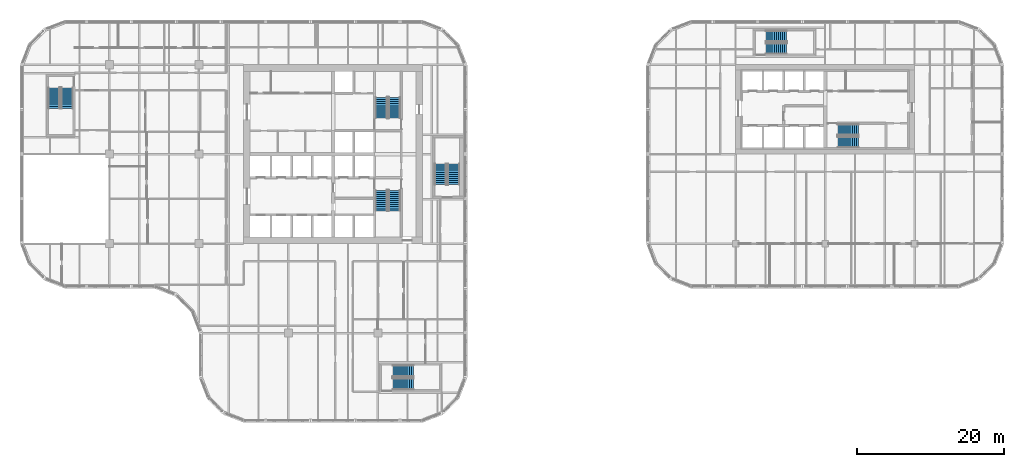
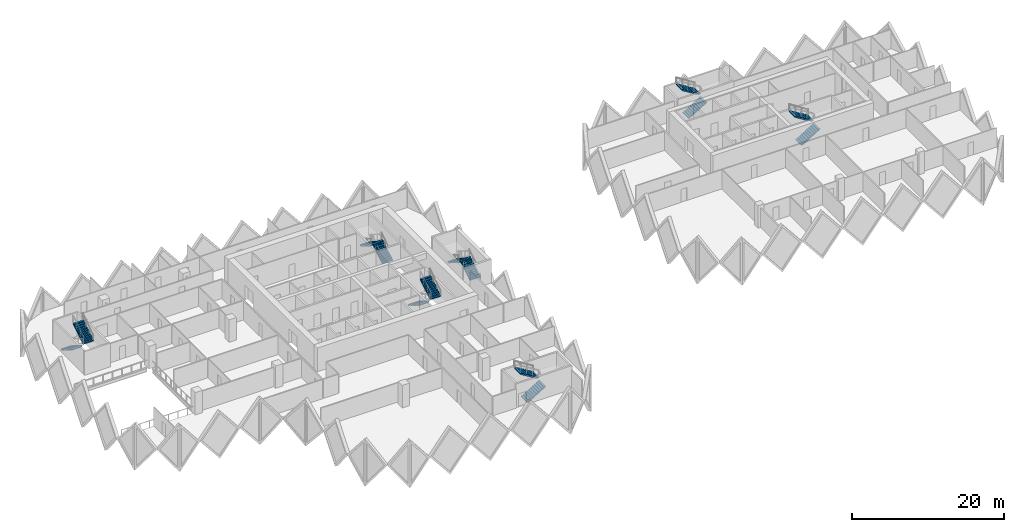
# One storey, part 16 of 18: 14 stair flights, 7 elements without a shape of their own.
"""IFC4 building model written with IfcOpenShell, lengths in metres."""

from ifc_helpers import new_model, si_unit, direction, frame, origin, place, context, subcontext, project, spatial, polyline, outline, extrude, material, type_object, element, aggregate, save


model = new_model("IFC4")

# Units and contexts
model_context = context("Model", 3, precision=1e-05, world=origin(), true_north=direction((0.0, 1.0)))
body_context = subcontext(model_context, "Body", "Model", "MODEL_VIEW")
ifc_project = project(units=[si_unit("LENGTHUNIT", "METRE"), si_unit("AREAUNIT", "SQUARE_METRE"), si_unit("VOLUMEUNIT", "CUBIC_METRE"), si_unit("PLANEANGLEUNIT", "RADIAN"), si_unit("MASSUNIT", "GRAM", prefix="KILO")], contexts=[model_context])

# Site, building, storey
site_placement = place(None, origin())
site = spatial("IfcSite", under=ifc_project, at=site_placement, CompositionType="ELEMENT")
building_placement = place(site_placement, origin())
building = spatial("IfcBuilding", under=site, at=building_placement, Name="Tessera Gate Towers", CompositionType="ELEMENT")
storey_placement = place(building_placement, frame((0.0, 0.0, 56.199951171875)))
storey = spatial("IfcBuildingStorey", under=building, at=storey_placement, Name="L13", CompositionType="ELEMENT", Elevation=56.199951171875)

# Stair, stair flights
ifc_material_1 = material(Name="Concrete C40/50", Category="concrete")
stair_type_1 = type_object("IfcStairType", Name="EXIT STAIR ST1 1600", PredefinedType="HALF_TURN_STAIR", material=ifc_material_1)
stair_1_placement = place(storey_placement, origin())
stair_1 = element("IfcStair", 1, at=stair_1_placement, inside=storey, type_object=stair_type_1, Name="L13 Protected Exit Stair ST1", PredefinedType="HALF_TURN_STAIR")
ifc_material_2 = material(Name="Concrete C40/50", Category="concrete")
stair_flight_type_1 = type_object("IfcStairFlightType", Name="EXIT STAIR FLIGHT ST1 1600", PredefinedType="STRAIGHT", material=ifc_material_2)
stair_flight_1_placement = place(storey_placement, frame((49.27490234375, 31.675048828125, 0.0), z_axis=(0.0, 0.0, 1.0), x_axis=(0.0, -1.0, 0.0)))
stair_flight_1 = element("IfcStairFlight", 2, at=stair_flight_1_placement, type_object=stair_flight_type_1, Name="ST1 flight 1", NumberOfRisers=11, NumberOfTreads=10, PredefinedType="STRAIGHT", RiserHeight=0.172727273, TreadLength=0.28, context=body_context, shape_type="SweptSolid", body=[
    extrude(outline(polyline([(0.0, 0.0), (0.0, 0.172607421875), (0.280029296875, 0.172607421875), (0.280029296875, 0.345458984375), (0.56005859375, 0.345458984375), (0.56005859375, 0.51806640625), (0.840087890625, 0.51806640625), (0.840087890625, 0.69091796875), (1.1201171875, 0.69091796875), (1.1201171875, 0.863525390625), (1.39990234375, 0.863525390625), (1.39990234375, 1.036376953125), (1.679931640625, 1.036376953125), (1.679931640625, 1.208984375), (1.9599609375, 1.208984375), (1.9599609375, 1.3818359375), (2.239990234375, 1.3818359375), (2.239990234375, 1.554443359375), (2.52001953125, 1.554443359375), (2.52001953125, 1.727294921875), (2.800048828125, 1.727294921875), (2.800048828125, 1.89990234375), (2.800048828125, 1.551025390625), (0.285400390625, 0.0), (0.0, 0.0)])), frame((0.0, 0.800048828125, 0.0), z_axis=(0.0, -1.0, 0.0), x_axis=(1.0, 0.0, 0.0)), (0.0, 0.0, 1.0), 1.60009765625),
])
stair_flight_2_placement = place(storey_placement, frame((51.074951171875, 28.875, 1.900146484375), z_axis=(0.0, 0.0, 1.0), x_axis=(0.0, 1.0, 0.0)))
stair_flight_2 = element("IfcStairFlight", 3, at=stair_flight_2_placement, type_object=stair_flight_type_1, Name="ST1 flight 2", NumberOfRisers=11, NumberOfTreads=10, PredefinedType="STRAIGHT", RiserHeight=0.172727273, TreadLength=0.28, context=body_context, shape_type="SweptSolid", body=[
    extrude(outline(polyline([(0.0, 0.0), (0.0, 0.172607421875), (0.280029296875, 0.172607421875), (0.280029296875, 0.345458984375), (0.56005859375, 0.345458984375), (0.56005859375, 0.51806640625), (0.840087890625, 0.51806640625), (0.840087890625, 0.69091796875), (1.1201171875, 0.69091796875), (1.1201171875, 0.863525390625), (1.39990234375, 0.863525390625), (1.39990234375, 1.036376953125), (1.679931640625, 1.036376953125), (1.679931640625, 1.208984375), (1.9599609375, 1.208984375), (1.9599609375, 1.3818359375), (2.239990234375, 1.3818359375), (2.239990234375, 1.554443359375), (2.52001953125, 1.554443359375), (2.52001953125, 1.727294921875), (2.800048828125, 1.727294921875), (2.800048828125, 1.89990234375), (2.800048828125, 1.551025390625), (0.285400390625, 0.0), (0.0, 0.0)])), frame((0.0, 0.800048828125, 0.0), z_axis=(0.0, -1.0, 0.0), x_axis=(1.0, 0.0, 0.0)), (0.0, 0.0, 1.0), 1.60009765625),
])
aggregate(stair_1, [stair_flight_1, stair_flight_2])

ifc_material_3 = material(Name="Concrete C40/50", Category="concrete")
stair_type_2 = type_object("IfcStairType", Name="EXIT STAIR ST2 1600", PredefinedType="HALF_TURN_STAIR", material=ifc_material_3)
stair_2_placement = place(storey_placement, origin())
stair_2 = element("IfcStair", 4, at=stair_2_placement, inside=storey, type_object=stair_type_2, Name="L13 Protected Exit Stair ST2", PredefinedType="HALF_TURN_STAIR")
ifc_material_4 = material(Name="Concrete C40/50", Category="concrete")
stair_flight_type_2 = type_object("IfcStairFlightType", Name="EXIT STAIR FLIGHT ST2 1600", PredefinedType="STRAIGHT", material=ifc_material_4)
stair_flight_3_placement = place(storey_placement, frame((51.074951171875, 41.52490234375, 0.0), z_axis=(0.0, 0.0, 1.0), x_axis=(0.0, 1.0, 0.0)))
stair_flight_3 = element("IfcStairFlight", 5, at=stair_flight_3_placement, type_object=stair_flight_type_2, Name="ST2 flight 1", NumberOfRisers=11, NumberOfTreads=10, PredefinedType="STRAIGHT", RiserHeight=0.172727273, TreadLength=0.28, context=body_context, shape_type="SweptSolid", body=[
    extrude(outline(polyline([(0.0, 0.0), (0.0, 0.172607421875), (0.280029296875, 0.172607421875), (0.280029296875, 0.345458984375), (0.56005859375, 0.345458984375), (0.56005859375, 0.51806640625), (0.840087890625, 0.51806640625), (0.840087890625, 0.69091796875), (1.1201171875, 0.69091796875), (1.1201171875, 0.863525390625), (1.39990234375, 0.863525390625), (1.39990234375, 1.036376953125), (1.679931640625, 1.036376953125), (1.679931640625, 1.208984375), (1.9599609375, 1.208984375), (1.9599609375, 1.3818359375), (2.239990234375, 1.3818359375), (2.239990234375, 1.554443359375), (2.52001953125, 1.554443359375), (2.52001953125, 1.727294921875), (2.800048828125, 1.727294921875), (2.800048828125, 1.89990234375), (2.800048828125, 1.551025390625), (0.285400390625, 0.0), (0.0, 0.0)])), frame((0.0, 0.800048828125, 0.0), z_axis=(0.0, -1.0, 0.0), x_axis=(1.0, 0.0, 0.0)), (0.0, 0.0, 1.0), 1.60009765625),
])
stair_flight_4_placement = place(storey_placement, frame((49.27490234375, 44.324951171875, 1.900146484375), z_axis=(0.0, 0.0, 1.0), x_axis=(0.0, -1.0, 0.0)))
stair_flight_4 = element("IfcStairFlight", 6, at=stair_flight_4_placement, type_object=stair_flight_type_2, Name="ST2 flight 2", NumberOfRisers=11, NumberOfTreads=10, PredefinedType="STRAIGHT", RiserHeight=0.172727273, TreadLength=0.28, context=body_context, shape_type="SweptSolid", body=[
    extrude(outline(polyline([(0.0, 0.0), (0.0, 0.172607421875), (0.280029296875, 0.172607421875), (0.280029296875, 0.345458984375), (0.56005859375, 0.345458984375), (0.56005859375, 0.51806640625), (0.840087890625, 0.51806640625), (0.840087890625, 0.69091796875), (1.1201171875, 0.69091796875), (1.1201171875, 0.863525390625), (1.39990234375, 0.863525390625), (1.39990234375, 1.036376953125), (1.679931640625, 1.036376953125), (1.679931640625, 1.208984375), (1.9599609375, 1.208984375), (1.9599609375, 1.3818359375), (2.239990234375, 1.3818359375), (2.239990234375, 1.554443359375), (2.52001953125, 1.554443359375), (2.52001953125, 1.727294921875), (2.800048828125, 1.727294921875), (2.800048828125, 1.89990234375), (2.800048828125, 1.551025390625), (0.285400390625, 0.0), (0.0, 0.0)])), frame((0.0, 0.800048828125, 0.0), z_axis=(0.0, -1.0, 0.0), x_axis=(1.0, 0.0, 0.0)), (0.0, 0.0, 1.0), 1.60009765625),
])
aggregate(stair_2, [stair_flight_3, stair_flight_4])

ifc_material_5 = material(Name="Concrete C40/50", Category="concrete")
stair_type_3 = type_object("IfcStairType", Name="EXIT STAIR ST3 1600", PredefinedType="HALF_TURN_STAIR", material=ifc_material_5)
stair_3_placement = place(storey_placement, origin())
stair_3 = element("IfcStair", 7, at=stair_3_placement, inside=storey, type_object=stair_type_3, Name="L13 West Exit Stair ST3", PredefinedType="HALF_TURN_STAIR")
ifc_material_6 = material(Name="Concrete C40/50", Category="concrete")
stair_flight_type_3 = type_object("IfcStairFlightType", Name="EXIT STAIR FLIGHT ST3 1600", PredefinedType="STRAIGHT", material=ifc_material_6)
stair_flight_5_placement = place(storey_placement, frame((4.64990234375, 45.64990234375, 0.0), z_axis=(0.0, 0.0, 1.0), x_axis=(0.0, -1.0, 0.0)))
stair_flight_5 = element("IfcStairFlight", 8, at=stair_flight_5_placement, type_object=stair_flight_type_3, Name="ST3 flight 1", NumberOfRisers=11, NumberOfTreads=10, PredefinedType="STRAIGHT", RiserHeight=0.172727273, TreadLength=0.28, context=body_context, shape_type="SweptSolid", body=[
    extrude(outline(polyline([(0.0, 0.0), (0.0, 0.172607421875), (0.280029296875, 0.172607421875), (0.280029296875, 0.345458984375), (0.56005859375, 0.345458984375), (0.56005859375, 0.51806640625), (0.840087890625, 0.51806640625), (0.840087890625, 0.69091796875), (1.1201171875, 0.69091796875), (1.1201171875, 0.863525390625), (1.39990234375, 0.863525390625), (1.39990234375, 1.036376953125), (1.679931640625, 1.036376953125), (1.679931640625, 1.208984375), (1.9599609375, 1.208984375), (1.9599609375, 1.3818359375), (2.239990234375, 1.3818359375), (2.239990234375, 1.554443359375), (2.52001953125, 1.554443359375), (2.52001953125, 1.727294921875), (2.800048828125, 1.727294921875), (2.800048828125, 1.89990234375), (2.800048828125, 1.551025390625), (0.285400390625, 0.0), (0.0, 0.0)])), frame((0.0, 0.800048828125, 0.0), z_axis=(0.0, -1.0, 0.0), x_axis=(1.0, 0.0, 0.0)), (0.0, 0.0, 1.0), 1.60009765625),
])
stair_flight_6_placement = place(storey_placement, frame((6.449951171875, 42.85009765625, 1.900146484375), z_axis=(0.0, 0.0, 1.0), x_axis=(0.0, 1.0, 0.0)))
stair_flight_6 = element("IfcStairFlight", 9, at=stair_flight_6_placement, type_object=stair_flight_type_3, Name="ST3 flight 2", NumberOfRisers=11, NumberOfTreads=10, PredefinedType="STRAIGHT", RiserHeight=0.172727273, TreadLength=0.28, context=body_context, shape_type="SweptSolid", body=[
    extrude(outline(polyline([(0.0, 0.0), (0.0, 0.172607421875), (0.280029296875, 0.172607421875), (0.280029296875, 0.345458984375), (0.56005859375, 0.345458984375), (0.56005859375, 0.51806640625), (0.840087890625, 0.51806640625), (0.840087890625, 0.69091796875), (1.1201171875, 0.69091796875), (1.1201171875, 0.863525390625), (1.39990234375, 0.863525390625), (1.39990234375, 1.036376953125), (1.679931640625, 1.036376953125), (1.679931640625, 1.208984375), (1.9599609375, 1.208984375), (1.9599609375, 1.3818359375), (2.239990234375, 1.3818359375), (2.239990234375, 1.554443359375), (2.52001953125, 1.554443359375), (2.52001953125, 1.727294921875), (2.800048828125, 1.727294921875), (2.800048828125, 1.89990234375), (2.800048828125, 1.551025390625), (0.285400390625, 0.0), (0.0, 0.0)])), frame((0.0, 0.800048828125, 0.0), z_axis=(0.0, -1.0, 0.0), x_axis=(1.0, 0.0, 0.0)), (0.0, 0.0, 1.0), 1.60009765625),
])
aggregate(stair_3, [stair_flight_5, stair_flight_6])

ifc_material_7 = material(Name="Concrete C40/50", Category="concrete")
stair_type_4 = type_object("IfcStairType", Name="EXIT STAIR ST4 1600", PredefinedType="HALF_TURN_STAIR", material=ifc_material_7)
stair_4_placement = place(storey_placement, origin())
stair_4 = element("IfcStair", 10, at=stair_4_placement, inside=storey, type_object=stair_type_4, Name="L13 South Exit Stair ST4", PredefinedType="HALF_TURN_STAIR")
ifc_material_8 = material(Name="Concrete C40/50", Category="concrete")
stair_flight_type_4 = type_object("IfcStairFlightType", Name="EXIT STAIR FLIGHT ST4 1600", PredefinedType="STRAIGHT", material=ifc_material_8)
stair_flight_7_placement = place(storey_placement, frame((50.85009765625, 5.25, 0.0), z_axis=(0.0, 0.0, 1.0), x_axis=(1.0, 0.0, 0.0)))
stair_flight_7 = element("IfcStairFlight", 11, at=stair_flight_7_placement, type_object=stair_flight_type_4, Name="ST4 flight 1", NumberOfRisers=11, NumberOfTreads=10, PredefinedType="STRAIGHT", RiserHeight=0.172727273, TreadLength=0.28, context=body_context, shape_type="SweptSolid", body=[
    extrude(outline(polyline([(0.0, 0.0), (0.0, 0.172607421875), (0.280029296875, 0.172607421875), (0.280029296875, 0.345458984375), (0.56005859375, 0.345458984375), (0.56005859375, 0.51806640625), (0.840087890625, 0.51806640625), (0.840087890625, 0.69091796875), (1.1201171875, 0.69091796875), (1.1201171875, 0.863525390625), (1.39990234375, 0.863525390625), (1.39990234375, 1.036376953125), (1.679931640625, 1.036376953125), (1.679931640625, 1.208984375), (1.9599609375, 1.208984375), (1.9599609375, 1.3818359375), (2.239990234375, 1.3818359375), (2.239990234375, 1.554443359375), (2.52001953125, 1.554443359375), (2.52001953125, 1.727294921875), (2.800048828125, 1.727294921875), (2.800048828125, 1.89990234375), (2.800048828125, 1.551025390625), (0.285400390625, 0.0), (0.0, 0.0)])), frame((0.0, 0.800048828125, 0.0), z_axis=(0.0, -1.0, 0.0), x_axis=(1.0, 0.0, 0.0)), (0.0, 0.0, 1.0), 1.60009765625),
])
stair_flight_8_placement = place(storey_placement, frame((53.64990234375, 7.050048828125, 1.900146484375), z_axis=(0.0, 0.0, 1.0), x_axis=(-1.0, 0.0, 0.0)))
stair_flight_8 = element("IfcStairFlight", 12, at=stair_flight_8_placement, type_object=stair_flight_type_4, Name="ST4 flight 2", NumberOfRisers=11, NumberOfTreads=10, PredefinedType="STRAIGHT", RiserHeight=0.172727273, TreadLength=0.28, context=body_context, shape_type="SweptSolid", body=[
    extrude(outline(polyline([(0.0, 0.0), (0.0, 0.172607421875), (0.280029296875, 0.172607421875), (0.280029296875, 0.345458984375), (0.56005859375, 0.345458984375), (0.56005859375, 0.51806640625), (0.840087890625, 0.51806640625), (0.840087890625, 0.69091796875), (1.1201171875, 0.69091796875), (1.1201171875, 0.863525390625), (1.39990234375, 0.863525390625), (1.39990234375, 1.036376953125), (1.679931640625, 1.036376953125), (1.679931640625, 1.208984375), (1.9599609375, 1.208984375), (1.9599609375, 1.3818359375), (2.239990234375, 1.3818359375), (2.239990234375, 1.554443359375), (2.52001953125, 1.554443359375), (2.52001953125, 1.727294921875), (2.800048828125, 1.727294921875), (2.800048828125, 1.89990234375), (2.800048828125, 1.551025390625), (0.285400390625, 0.0), (0.0, 0.0)])), frame((0.0, 0.800048828125, 0.0), z_axis=(0.0, -1.0, 0.0), x_axis=(1.0, 0.0, 0.0)), (0.0, 0.0, 1.0), 1.60009765625),
])
aggregate(stair_4, [stair_flight_7, stair_flight_8])

ifc_material_9 = material(Name="Concrete C40/50", Category="concrete")
stair_type_5 = type_object("IfcStairType", Name="EXIT STAIR ST5 1600", PredefinedType="HALF_TURN_STAIR", material=ifc_material_9)
stair_5_placement = place(storey_placement, origin())
stair_5 = element("IfcStair", 13, at=stair_5_placement, inside=storey, type_object=stair_type_5, Name="L13 East Exit Stair ST5", PredefinedType="HALF_TURN_STAIR")
ifc_material_10 = material(Name="Concrete C40/50", Category="concrete")
stair_flight_type_5 = type_object("IfcStairFlightType", Name="EXIT STAIR FLIGHT ST5 1600", PredefinedType="STRAIGHT", material=ifc_material_10)
stair_flight_9_placement = place(storey_placement, frame((59.14990234375, 32.449951171875, 0.0), z_axis=(0.0, 0.0, 1.0), x_axis=(0.0, 1.0, 0.0)))
stair_flight_9 = element("IfcStairFlight", 14, at=stair_flight_9_placement, type_object=stair_flight_type_5, Name="ST5 flight 1", NumberOfRisers=11, NumberOfTreads=10, PredefinedType="STRAIGHT", RiserHeight=0.172727273, TreadLength=0.28, context=body_context, shape_type="SweptSolid", body=[
    extrude(outline(polyline([(0.0, 0.0), (0.0, 0.172607421875), (0.280029296875, 0.172607421875), (0.280029296875, 0.345458984375), (0.56005859375, 0.345458984375), (0.56005859375, 0.51806640625), (0.840087890625, 0.51806640625), (0.840087890625, 0.69091796875), (1.1201171875, 0.69091796875), (1.1201171875, 0.863525390625), (1.39990234375, 0.863525390625), (1.39990234375, 1.036376953125), (1.679931640625, 1.036376953125), (1.679931640625, 1.208984375), (1.9599609375, 1.208984375), (1.9599609375, 1.3818359375), (2.239990234375, 1.3818359375), (2.239990234375, 1.554443359375), (2.52001953125, 1.554443359375), (2.52001953125, 1.727294921875), (2.800048828125, 1.727294921875), (2.800048828125, 1.89990234375), (2.800048828125, 1.551025390625), (0.285400390625, 0.0), (0.0, 0.0)])), frame((0.0, 0.800048828125, 0.0), z_axis=(0.0, -1.0, 0.0), x_axis=(1.0, 0.0, 0.0)), (0.0, 0.0, 1.0), 1.60009765625),
])
stair_flight_10_placement = place(storey_placement, frame((57.35009765625, 35.25, 1.900146484375), z_axis=(0.0, 0.0, 1.0), x_axis=(0.0, -1.0, 0.0)))
stair_flight_10 = element("IfcStairFlight", 15, at=stair_flight_10_placement, type_object=stair_flight_type_5, Name="ST5 flight 2", NumberOfRisers=11, NumberOfTreads=10, PredefinedType="STRAIGHT", RiserHeight=0.172727273, TreadLength=0.28, context=body_context, shape_type="SweptSolid", body=[
    extrude(outline(polyline([(0.0, 0.0), (0.0, 0.172607421875), (0.280029296875, 0.172607421875), (0.280029296875, 0.345458984375), (0.56005859375, 0.345458984375), (0.56005859375, 0.51806640625), (0.840087890625, 0.51806640625), (0.840087890625, 0.69091796875), (1.1201171875, 0.69091796875), (1.1201171875, 0.863525390625), (1.39990234375, 0.863525390625), (1.39990234375, 1.036376953125), (1.679931640625, 1.036376953125), (1.679931640625, 1.208984375), (1.9599609375, 1.208984375), (1.9599609375, 1.3818359375), (2.239990234375, 1.3818359375), (2.239990234375, 1.554443359375), (2.52001953125, 1.554443359375), (2.52001953125, 1.727294921875), (2.800048828125, 1.727294921875), (2.800048828125, 1.89990234375), (2.800048828125, 1.551025390625), (0.285400390625, 0.0), (0.0, 0.0)])), frame((0.0, 0.800048828125, 0.0), z_axis=(0.0, -1.0, 0.0), x_axis=(1.0, 0.0, 0.0)), (0.0, 0.0, 1.0), 1.60009765625),
])
aggregate(stair_5, [stair_flight_9, stair_flight_10])

ifc_material_11 = material(Name="Concrete C40/50", Category="concrete")
stair_type_6 = type_object("IfcStairType", Name="EXIT STAIR ST6 1500", PredefinedType="HALF_TURN_STAIR", material=ifc_material_11)
stair_6_placement = place(storey_placement, origin())
stair_6 = element("IfcStair", 16, at=stair_6_placement, inside=storey, type_object=stair_type_6, Name="L13 Protected Exit Stair ST6", PredefinedType="HALF_TURN_STAIR")
ifc_material_12 = material(Name="Concrete C40/50", Category="concrete")
stair_flight_type_6 = type_object("IfcStairFlightType", Name="EXIT STAIR FLIGHT ST6 1500", PredefinedType="STRAIGHT", material=ifc_material_12)
stair_flight_11_placement = place(storey_placement, frame((111.550048828125, 38.25, 0.0), z_axis=(0.0, 0.0, 1.0), x_axis=(1.0, 0.0, 0.0)))
stair_flight_11 = element("IfcStairFlight", 17, at=stair_flight_11_placement, type_object=stair_flight_type_6, Name="ST6 flight 1", NumberOfRisers=11, NumberOfTreads=10, PredefinedType="STRAIGHT", RiserHeight=0.172727273, TreadLength=0.28, context=body_context, shape_type="SweptSolid", body=[
    extrude(outline(polyline([(0.0, 0.0), (0.0, 0.172607421875), (0.280029296875, 0.172607421875), (0.280029296875, 0.345458984375), (0.56005859375, 0.345458984375), (0.56005859375, 0.51806640625), (0.840087890625, 0.51806640625), (0.840087890625, 0.69091796875), (1.1201171875, 0.69091796875), (1.1201171875, 0.863525390625), (1.39990234375, 0.863525390625), (1.39990234375, 1.036376953125), (1.679931640625, 1.036376953125), (1.679931640625, 1.208984375), (1.9599609375, 1.208984375), (1.9599609375, 1.3818359375), (2.239990234375, 1.3818359375), (2.239990234375, 1.554443359375), (2.52001953125, 1.554443359375), (2.52001953125, 1.727294921875), (2.800048828125, 1.727294921875), (2.800048828125, 1.89990234375), (2.800048828125, 1.551025390625), (0.285400390625, 0.0), (0.0, 0.0)])), frame((0.0, 0.75, 0.0), z_axis=(0.0, -1.0, 0.0), x_axis=(1.0, 0.0, 0.0)), (0.0, 0.0, 1.0), 1.5),
])
stair_flight_12_placement = place(storey_placement, frame((114.35009765625, 39.949951171875, 1.900146484375), z_axis=(0.0, 0.0, 1.0), x_axis=(-1.0, 0.0, 0.0)))
stair_flight_12 = element("IfcStairFlight", 18, at=stair_flight_12_placement, type_object=stair_flight_type_6, Name="ST6 flight 2", NumberOfRisers=11, NumberOfTreads=10, PredefinedType="STRAIGHT", RiserHeight=0.172727273, TreadLength=0.28, context=body_context, shape_type="SweptSolid", body=[
    extrude(outline(polyline([(0.0, 0.0), (0.0, 0.172607421875), (0.280029296875, 0.172607421875), (0.280029296875, 0.345458984375), (0.56005859375, 0.345458984375), (0.56005859375, 0.51806640625), (0.840087890625, 0.51806640625), (0.840087890625, 0.69091796875), (1.1201171875, 0.69091796875), (1.1201171875, 0.863525390625), (1.39990234375, 0.863525390625), (1.39990234375, 1.036376953125), (1.679931640625, 1.036376953125), (1.679931640625, 1.208984375), (1.9599609375, 1.208984375), (1.9599609375, 1.3818359375), (2.239990234375, 1.3818359375), (2.239990234375, 1.554443359375), (2.52001953125, 1.554443359375), (2.52001953125, 1.727294921875), (2.800048828125, 1.727294921875), (2.800048828125, 1.89990234375), (2.800048828125, 1.551025390625), (0.285400390625, 0.0), (0.0, 0.0)])), frame((0.0, 0.75, 0.0), z_axis=(0.0, -1.0, 0.0), x_axis=(1.0, 0.0, 0.0)), (0.0, 0.0, 1.0), 1.5),
])
aggregate(stair_6, [stair_flight_11, stair_flight_12])

ifc_material_13 = material(Name="Concrete C40/50", Category="concrete")
stair_type_7 = type_object("IfcStairType", Name="EXIT STAIR ST7 1500", PredefinedType="HALF_TURN_STAIR", material=ifc_material_13)
stair_7_placement = place(storey_placement, origin())
stair_7 = element("IfcStair", 19, at=stair_7_placement, inside=storey, type_object=stair_type_7, Name="L13 North Exit Stair ST7", PredefinedType="HALF_TURN_STAIR")
ifc_material_14 = material(Name="Concrete C40/50", Category="concrete")
stair_flight_type_7 = type_object("IfcStairFlightType", Name="EXIT STAIR FLIGHT ST7 1500", PredefinedType="STRAIGHT", material=ifc_material_14)
stair_flight_13_placement = place(storey_placement, frame((101.75, 51.0, 0.0), z_axis=(0.0, 0.0, 1.0), x_axis=(1.0, 0.0, 0.0)))
stair_flight_13 = element("IfcStairFlight", 20, at=stair_flight_13_placement, type_object=stair_flight_type_7, Name="ST7 flight 1", NumberOfRisers=11, NumberOfTreads=10, PredefinedType="STRAIGHT", RiserHeight=0.172727273, TreadLength=0.28, context=body_context, shape_type="SweptSolid", body=[
    extrude(outline(polyline([(0.0, 0.0), (0.0, 0.172607421875), (0.280029296875, 0.172607421875), (0.280029296875, 0.345458984375), (0.56005859375, 0.345458984375), (0.56005859375, 0.51806640625), (0.840087890625, 0.51806640625), (0.840087890625, 0.69091796875), (1.1201171875, 0.69091796875), (1.1201171875, 0.863525390625), (1.39990234375, 0.863525390625), (1.39990234375, 1.036376953125), (1.679931640625, 1.036376953125), (1.679931640625, 1.208984375), (1.9599609375, 1.208984375), (1.9599609375, 1.3818359375), (2.239990234375, 1.3818359375), (2.239990234375, 1.554443359375), (2.52001953125, 1.554443359375), (2.52001953125, 1.727294921875), (2.800048828125, 1.727294921875), (2.800048828125, 1.89990234375), (2.800048828125, 1.551025390625), (0.285400390625, 0.0), (0.0, 0.0)])), frame((0.0, 0.75, 0.0), z_axis=(0.0, -1.0, 0.0), x_axis=(1.0, 0.0, 0.0)), (0.0, 0.0, 1.0), 1.5),
])
stair_flight_14_placement = place(storey_placement, frame((104.550048828125, 52.699951171875, 1.900146484375), z_axis=(0.0, 0.0, 1.0), x_axis=(-1.0, 0.0, 0.0)))
stair_flight_14 = element("IfcStairFlight", 21, at=stair_flight_14_placement, type_object=stair_flight_type_7, Name="ST7 flight 2", NumberOfRisers=11, NumberOfTreads=10, PredefinedType="STRAIGHT", RiserHeight=0.172727273, TreadLength=0.28, context=body_context, shape_type="SweptSolid", body=[
    extrude(outline(polyline([(0.0, 0.0), (0.0, 0.172607421875), (0.280029296875, 0.172607421875), (0.280029296875, 0.345458984375), (0.56005859375, 0.345458984375), (0.56005859375, 0.51806640625), (0.840087890625, 0.51806640625), (0.840087890625, 0.69091796875), (1.1201171875, 0.69091796875), (1.1201171875, 0.863525390625), (1.39990234375, 0.863525390625), (1.39990234375, 1.036376953125), (1.679931640625, 1.036376953125), (1.679931640625, 1.208984375), (1.9599609375, 1.208984375), (1.9599609375, 1.3818359375), (2.239990234375, 1.3818359375), (2.239990234375, 1.554443359375), (2.52001953125, 1.554443359375), (2.52001953125, 1.727294921875), (2.800048828125, 1.727294921875), (2.800048828125, 1.89990234375), (2.800048828125, 1.551025390625), (0.285400390625, 0.0), (0.0, 0.0)])), frame((0.0, 0.75, 0.0), z_axis=(0.0, -1.0, 0.0), x_axis=(1.0, 0.0, 0.0)), (0.0, 0.0, 1.0), 1.5),
])
aggregate(stair_7, [stair_flight_13, stair_flight_14])

save(model, "model.ifc")
